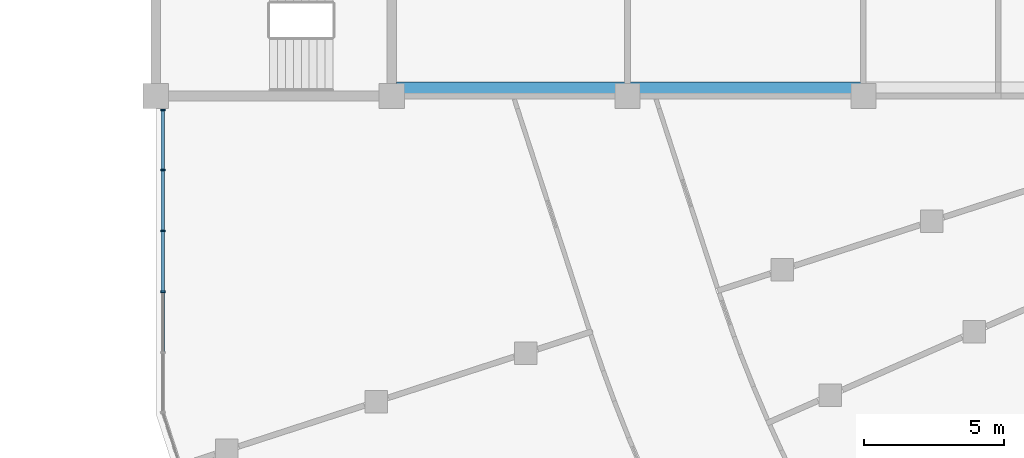
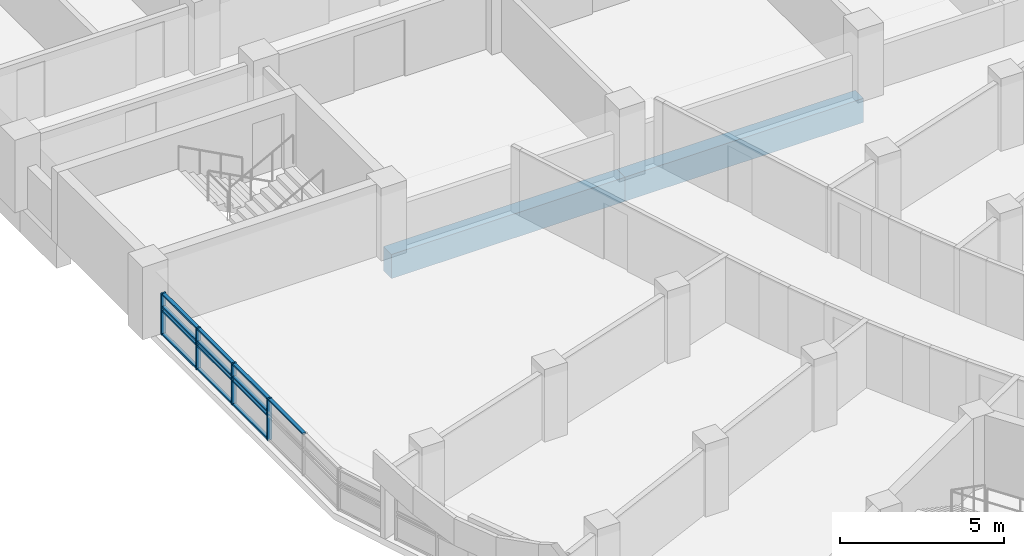
# One storey, part 13 of 89: 17 members, 2 beams, 1 element without a shape of its own.
"""IFC4 building model written with IfcOpenShell, lengths in metres."""

from ifc_helpers import new_model, si_unit, direction, frame, origin, origin_2d, place, context, subcontext, project, spatial, rectangle, extrude, material, material_profile, profile_set, type_object, element, aggregate, save


model = new_model("IFC4")

# Units and contexts
model_context = context("Model", 3, precision=1e-05, world=origin(), true_north=direction((0.0, 1.0)))
body_context = subcontext(model_context, "Body", "Model", "MODEL_VIEW")
ifc_project = project(units=[si_unit("LENGTHUNIT", "METRE"), si_unit("AREAUNIT", "SQUARE_METRE"), si_unit("VOLUMEUNIT", "CUBIC_METRE"), si_unit("PLANEANGLEUNIT", "RADIAN"), si_unit("MASSUNIT", "GRAM", prefix="KILO")], contexts=[model_context])

# Site, building, storey
site_placement = place(None, origin())
site = spatial("IfcSite", under=ifc_project, at=site_placement, CompositionType="ELEMENT")
building_placement = place(site_placement, origin())
building = spatial("IfcBuilding", under=site, at=building_placement, Name="Bougainvillea Quay General Hospital", CompositionType="ELEMENT")
storey_placement = place(building_placement, frame((0.0, 0.0, 9.89990234375)))
storey = spatial("IfcBuildingStorey", under=building, at=storey_placement, Name="L01M", CompositionType="ELEMENT", Elevation=9.89990234375)

# Curtain wall, members
ifc_material_1 = material(Name="Aluminium curtain wall system, powder-coated glazed", Category="aluminium")
curtain_wall_type = type_object("IfcCurtainWallType", Name="Unitised curtain wall CW-2167", PredefinedType="NOTDEFINED", material=ifc_material_1)
curtain_wall_placement = place(storey_placement, origin())
curtain_wall = element("IfcCurtainWall", 1, at=curtain_wall_placement, inside=storey, type_object=curtain_wall_type, Name="CW-AE 00", PredefinedType="NOTDEFINED")
ifc_material_2 = material(Name="Aluminium mullion, powder-coated charcoal", Category="aluminium")
ifc_material_profile_1 = material_profile(ifc_material_2, rectangle(XDim=0.159912109375, YDim=0.06005859375, at=origin_2d()))
ifc_profile_set_1 = profile_set([ifc_material_profile_1], Name="Aluminium mullion, powder-coated charcoal")
member_type_1 = type_object("IfcMemberType", Name="Curtain wall mullion 160x60", PredefinedType="MULLION", material=ifc_profile_set_1)
member_1_placement = place(storey_placement, frame((42.25, 117.10009765625, 0.0), z_axis=(0.0, 0.0, 1.0), x_axis=(1.0, 0.0, 0.0)))
member_1 = element("IfcMember", 2, at=member_1_placement, type_object=member_type_1, Name="CW-AE mullion 1", PredefinedType="MULLION", context=body_context, shape_type="SweptSolid", body=[
    extrude(rectangle(XDim=0.159912109375, YDim=0.06005859375, at=origin_2d()), origin(), (0.0, 0.0, 1.0), 1.550048828125),
])
member_2_placement = place(storey_placement, frame((42.25, 114.963134765625, 0.0), z_axis=(0.0, 0.0, 1.0), x_axis=(1.0, 0.0, 0.0)))
member_2 = element("IfcMember", 3, at=member_2_placement, type_object=member_type_1, Name="CW-AE mullion 2", PredefinedType="MULLION", context=body_context, shape_type="SweptSolid", body=[
    extrude(rectangle(XDim=0.159912109375, YDim=0.06005859375, at=origin_2d()), origin(), (0.0, 0.0, 1.0), 1.550048828125),
])
member_3_placement = place(storey_placement, frame((42.25, 112.79638671875, 0.0), z_axis=(0.0, 0.0, 1.0), x_axis=(1.0, 0.0, 0.0)))
member_3 = element("IfcMember", 4, at=member_3_placement, type_object=member_type_1, Name="CW-AE mullion 3", PredefinedType="MULLION", context=body_context, shape_type="SweptSolid", body=[
    extrude(rectangle(XDim=0.159912109375, YDim=0.06005859375, at=origin_2d()), origin(), (0.0, 0.0, 1.0), 1.550048828125),
])
member_4_placement = place(storey_placement, frame((42.25, 110.629638671875, 0.0), z_axis=(0.0, 0.0, 1.0), x_axis=(1.0, 0.0, 0.0)))
member_4 = element("IfcMember", 5, at=member_4_placement, type_object=member_type_1, Name="CW-AE mullion 4", PredefinedType="MULLION", context=body_context, shape_type="SweptSolid", body=[
    extrude(rectangle(XDim=0.159912109375, YDim=0.06005859375, at=origin_2d()), origin(), (0.0, 0.0, 1.0), 1.550048828125),
])
ifc_material_3 = material(Name="Aluminium transom, powder-coated charcoal", Category="aluminium")
ifc_material_profile_2 = material_profile(ifc_material_3, rectangle(XDim=0.1201171875, YDim=0.06005859375, at=origin_2d()))
ifc_profile_set_2 = profile_set([ifc_material_profile_2], Name="Aluminium transom, powder-coated charcoal")
member_type_2 = type_object("IfcMemberType", Name="Curtain wall transom 120x60", PredefinedType="USERDEFINED", material=ifc_profile_set_2)
member_5_placement = place(storey_placement, frame((42.25, 117.070068359375, 0.030029296875), z_axis=(0.0, -1.0, 0.0), x_axis=(1.0, 0.0, 0.0)))
member_5 = element("IfcMember", 6, at=member_5_placement, type_object=member_type_2, Name="CW-AE transom 1.1", ObjectType="TRANSOM", PredefinedType="USERDEFINED", context=body_context, shape_type="SweptSolid", body=[
    extrude(rectangle(XDim=0.1201171875, YDim=0.06005859375, at=origin_2d()), origin(), (0.0, 0.0, 1.0), 2.076904296875),
])
member_6_placement = place(storey_placement, frame((42.25, 117.070068359375, 0.900146484375), z_axis=(0.0, -1.0, 0.0), x_axis=(1.0, 0.0, 0.0)))
member_6 = element("IfcMember", 7, at=member_6_placement, type_object=member_type_2, Name="CW-AE transom 1.2", ObjectType="TRANSOM", PredefinedType="USERDEFINED", context=body_context, shape_type="SweptSolid", body=[
    extrude(rectangle(XDim=0.1201171875, YDim=0.06005859375, at=origin_2d()), origin(), (0.0, 0.0, 1.0), 2.076904296875),
])
member_7_placement = place(storey_placement, frame((42.25, 117.070068359375, 1.050048828125), z_axis=(0.0, -1.0, 0.0), x_axis=(1.0, 0.0, 0.0)))
member_7 = element("IfcMember", 8, at=member_7_placement, type_object=member_type_2, Name="CW-AE transom 1.3", ObjectType="TRANSOM", PredefinedType="USERDEFINED", context=body_context, shape_type="SweptSolid", body=[
    extrude(rectangle(XDim=0.1201171875, YDim=0.06005859375, at=origin_2d()), origin(), (0.0, 0.0, 1.0), 2.076904296875),
])
member_8_placement = place(storey_placement, frame((42.25, 117.070068359375, 1.52001953125), z_axis=(0.0, -1.0, 0.0), x_axis=(1.0, 0.0, 0.0)))
member_8 = element("IfcMember", 9, at=member_8_placement, type_object=member_type_2, Name="CW-AE transom 1.4", ObjectType="TRANSOM", PredefinedType="USERDEFINED", context=body_context, shape_type="SweptSolid", body=[
    extrude(rectangle(XDim=0.1201171875, YDim=0.06005859375, at=origin_2d()), origin(), (0.0, 0.0, 1.0), 2.076904296875),
])
member_9_placement = place(storey_placement, frame((42.25, 114.93310546875, 0.030029296875), z_axis=(0.0, -1.0, 0.0), x_axis=(1.0, 0.0, 0.0)))
member_9 = element("IfcMember", 10, at=member_9_placement, type_object=member_type_2, Name="CW-AE transom 2.1", ObjectType="TRANSOM", PredefinedType="USERDEFINED", context=body_context, shape_type="SweptSolid", body=[
    extrude(rectangle(XDim=0.1201171875, YDim=0.06005859375, at=origin_2d()), origin(), (0.0, 0.0, 1.0), 2.106689453125),
])
member_10_placement = place(storey_placement, frame((42.25, 114.93310546875, 0.900146484375), z_axis=(0.0, -1.0, 0.0), x_axis=(1.0, 0.0, 0.0)))
member_10 = element("IfcMember", 11, at=member_10_placement, type_object=member_type_2, Name="CW-AE transom 2.2", ObjectType="TRANSOM", PredefinedType="USERDEFINED", context=body_context, shape_type="SweptSolid", body=[
    extrude(rectangle(XDim=0.1201171875, YDim=0.06005859375, at=origin_2d()), origin(), (0.0, 0.0, 1.0), 2.106689453125),
])
member_11_placement = place(storey_placement, frame((42.25, 114.93310546875, 1.050048828125), z_axis=(0.0, -1.0, 0.0), x_axis=(1.0, 0.0, 0.0)))
member_11 = element("IfcMember", 12, at=member_11_placement, type_object=member_type_2, Name="CW-AE transom 2.3", ObjectType="TRANSOM", PredefinedType="USERDEFINED", context=body_context, shape_type="SweptSolid", body=[
    extrude(rectangle(XDim=0.1201171875, YDim=0.06005859375, at=origin_2d()), origin(), (0.0, 0.0, 1.0), 2.106689453125),
])
member_12_placement = place(storey_placement, frame((42.25, 114.93310546875, 1.52001953125), z_axis=(0.0, -1.0, 0.0), x_axis=(1.0, 0.0, 0.0)))
member_12 = element("IfcMember", 13, at=member_12_placement, type_object=member_type_2, Name="CW-AE transom 2.4", ObjectType="TRANSOM", PredefinedType="USERDEFINED", context=body_context, shape_type="SweptSolid", body=[
    extrude(rectangle(XDim=0.1201171875, YDim=0.06005859375, at=origin_2d()), origin(), (0.0, 0.0, 1.0), 2.106689453125),
])
member_13_placement = place(storey_placement, frame((42.25, 112.766357421875, 0.030029296875), z_axis=(0.0, -1.0, 0.0), x_axis=(1.0, 0.0, 0.0)))
member_13 = element("IfcMember", 14, at=member_13_placement, type_object=member_type_2, Name="CW-AE transom 3.1", ObjectType="TRANSOM", PredefinedType="USERDEFINED", context=body_context, shape_type="SweptSolid", body=[
    extrude(rectangle(XDim=0.1201171875, YDim=0.06005859375, at=origin_2d()), origin(), (0.0, 0.0, 1.0), 2.106689453125),
])
member_14_placement = place(storey_placement, frame((42.25, 112.766357421875, 0.900146484375), z_axis=(0.0, -1.0, 0.0), x_axis=(1.0, 0.0, 0.0)))
member_14 = element("IfcMember", 15, at=member_14_placement, type_object=member_type_2, Name="CW-AE transom 3.2", ObjectType="TRANSOM", PredefinedType="USERDEFINED", context=body_context, shape_type="SweptSolid", body=[
    extrude(rectangle(XDim=0.1201171875, YDim=0.06005859375, at=origin_2d()), origin(), (0.0, 0.0, 1.0), 2.106689453125),
])
member_15_placement = place(storey_placement, frame((42.25, 112.766357421875, 1.050048828125), z_axis=(0.0, -1.0, 0.0), x_axis=(1.0, 0.0, 0.0)))
member_15 = element("IfcMember", 16, at=member_15_placement, type_object=member_type_2, Name="CW-AE transom 3.3", ObjectType="TRANSOM", PredefinedType="USERDEFINED", context=body_context, shape_type="SweptSolid", body=[
    extrude(rectangle(XDim=0.1201171875, YDim=0.06005859375, at=origin_2d()), origin(), (0.0, 0.0, 1.0), 2.106689453125),
])
member_16_placement = place(storey_placement, frame((42.25, 112.766357421875, 1.52001953125), z_axis=(0.0, -1.0, 0.0), x_axis=(1.0, 0.0, 0.0)))
member_16 = element("IfcMember", 17, at=member_16_placement, type_object=member_type_2, Name="CW-AE transom 3.4", ObjectType="TRANSOM", PredefinedType="USERDEFINED", context=body_context, shape_type="SweptSolid", body=[
    extrude(rectangle(XDim=0.1201171875, YDim=0.06005859375, at=origin_2d()), origin(), (0.0, 0.0, 1.0), 2.106689453125),
])
member_17_placement = place(storey_placement, frame((42.25, 110.599609375, 1.52001953125), z_axis=(0.0, -1.0, 0.0), x_axis=(1.0, 0.0, 0.0)))
member_17 = element("IfcMember", 18, at=member_17_placement, type_object=member_type_2, Name="CW-AE transom 4.4", ObjectType="TRANSOM", PredefinedType="USERDEFINED", context=body_context, shape_type="SweptSolid", body=[
    extrude(rectangle(XDim=0.1201171875, YDim=0.06005859375, at=origin_2d()), origin(), (0.0, 0.0, 1.0), 2.106689453125),
])
aggregate(curtain_wall, [member_1, member_2, member_3, member_4, member_5, member_6, member_7, member_8, member_9, member_10, member_11, member_12, member_13, member_14, member_15, member_16, member_17])

# Beams
ifc_material_4 = material(Name="Concrete C40", Category="concrete")
ifc_material_profile_3 = material_profile(ifc_material_4, rectangle(XDim=0.5, YDim=0.89990234375, at=origin_2d()))
ifc_profile_set_3 = profile_set([ifc_material_profile_3], Name="Concrete C40")
beam_type = type_object("IfcBeamType", Name="RC BEAM 500x900 C40", PredefinedType="BEAM", material=ifc_profile_set_3)
beam_1_placement = place(storey_placement, frame((50.574951171875, 117.85009765625, -0.699951171875), z_axis=(1.0, 0.0, 0.0), x_axis=(0.0, 1.0, 0.0)))
element("IfcBeam", 19, at=beam_1_placement, inside=storey, type_object=beam_type, Name="Edge beam L01M", PredefinedType="BEAM", context=body_context, shape_type="SweptSolid", body=[
    extrude(rectangle(XDim=0.5, YDim=0.89990234375, at=origin_2d()), origin(), (0.0, 0.0, 1.0), 8.22509765625),
])
beam_2_placement = place(storey_placement, frame((58.800048828125, 117.85009765625, -0.699951171875), z_axis=(1.0, 0.0, 0.0), x_axis=(0.0, 1.0, 0.0)))
element("IfcBeam", 20, at=beam_2_placement, inside=storey, type_object=beam_type, Name="Edge beam L01M", PredefinedType="BEAM", context=body_context, shape_type="SweptSolid", body=[
    extrude(rectangle(XDim=0.5, YDim=0.89990234375, at=origin_2d()), origin(), (0.0, 0.0, 1.0), 8.39990234375),
])

save(model, "model.ifc")
